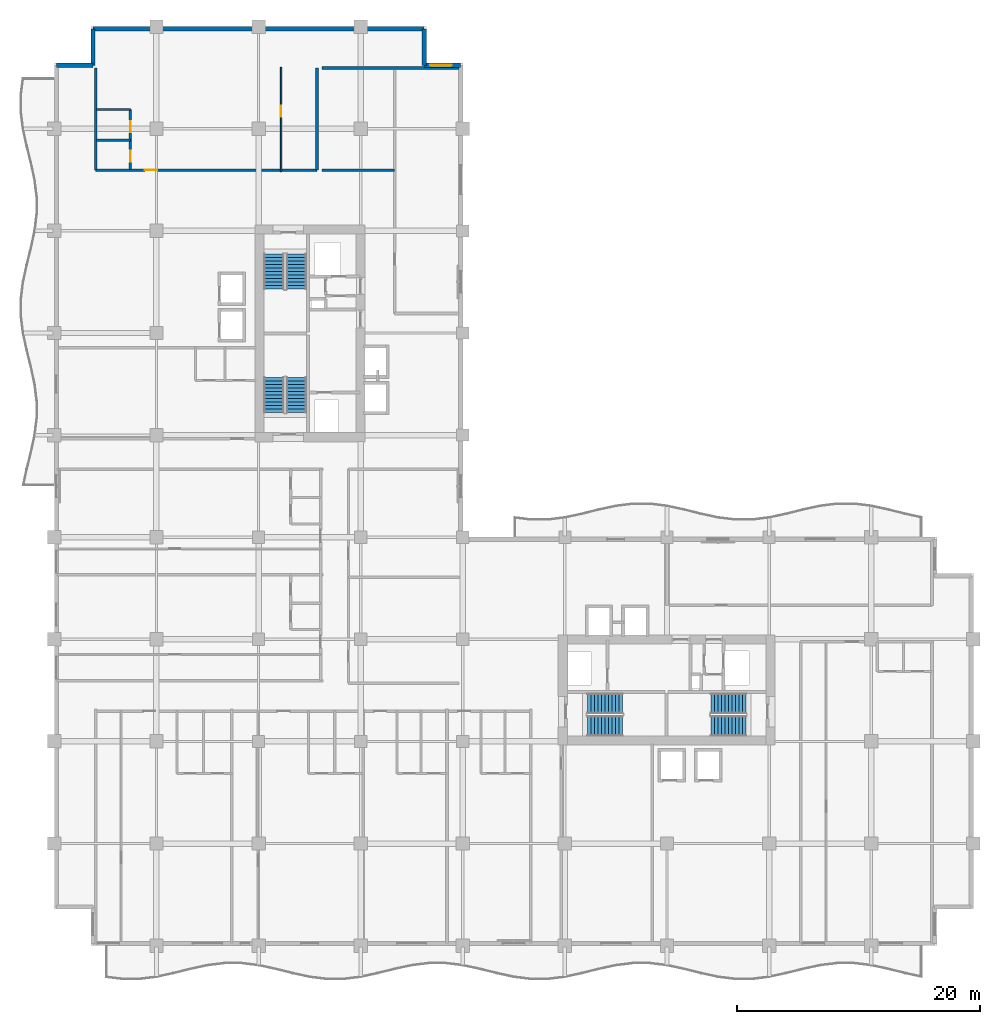
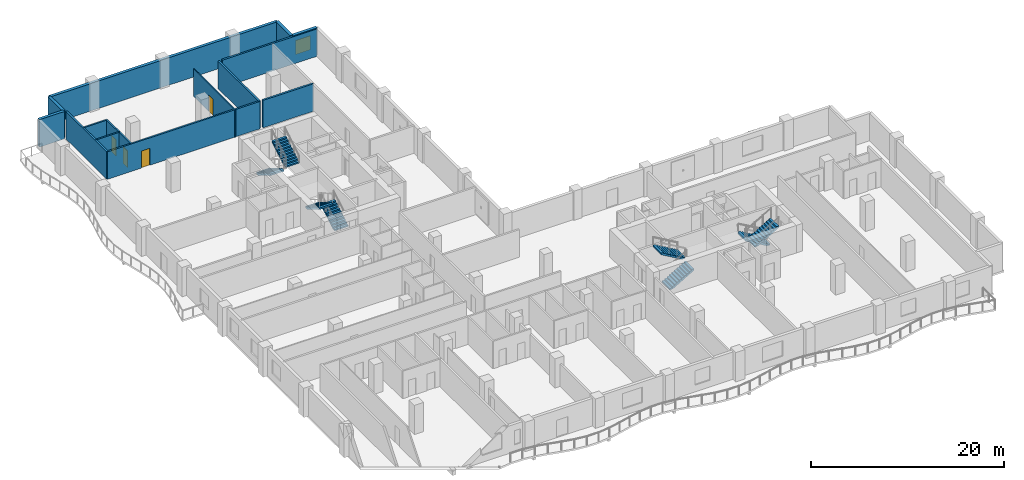
# One storey, part 10 of 16: 14 walls, 8 stair flights, 4 doors, 1 window, 5 openings, 4 elements without a shape of their own.
"""IFC4 building model written with IfcOpenShell, lengths in metres."""

from ifc_helpers import new_model, si_unit, direction, frame, frame_2d, origin, place, context, subcontext, project, spatial, polyline, rectangle, outline, extrude, material, layer, layer_set, type_object, element, fill, aggregate, save


model = new_model("IFC4")

# Units and contexts
model_context = context("Model", 3, precision=1e-05, world=origin(), true_north=direction((0.0, 1.0)))
body_context = subcontext(model_context, "Body", "Model", "MODEL_VIEW")
ifc_project = project(units=[si_unit("LENGTHUNIT", "METRE"), si_unit("AREAUNIT", "SQUARE_METRE"), si_unit("VOLUMEUNIT", "CUBIC_METRE"), si_unit("PLANEANGLEUNIT", "RADIAN"), si_unit("MASSUNIT", "GRAM", prefix="KILO")], contexts=[model_context])

# Site, building, storey
site_placement = place(None, origin())
site = spatial("IfcSite", under=ifc_project, at=site_placement, CompositionType="ELEMENT")
building_placement = place(site_placement, origin())
building = spatial("IfcBuilding", under=site, at=building_placement, Name="Koriwani Terraces Tower", CompositionType="ELEMENT")
storey_placement = place(building_placement, frame((0.0, 0.0, 179.10009765625)))
storey = spatial("IfcBuildingStorey", under=building, at=storey_placement, Name="L43", CompositionType="ELEMENT", Elevation=179.10009765625)

# Wall, opening, door
ifc_material_1 = material(Name="Autoclaved Cellular Concrete Blockwork", Category="masonry")
ifc_layer_1 = layer(ifc_material_1, 0.199951171875, Name="Autoclaved Cellular Concrete Blockwork")
ifc_layer_set_1 = layer_set([ifc_layer_1], Name="Autoclaved Cellular Concrete Blockwork")
wall_type_1 = type_object("IfcWallType", Name="WALL_CORRIDOR_200", PredefinedType="PARTITIONING", material=ifc_layer_set_1)
wall_1_placement = place(storey_placement, frame((3.39990234375, 63.800048828125, 0.0), z_axis=(0.0, 0.0, 1.0), x_axis=(1.0, 0.0, 0.0)))
wall_1 = element("IfcWall", 1, at=wall_1_placement, inside=storey, type_object=wall_type_1, Name="L43 Interior Wall WGB-L43-NWTIP-S", PredefinedType="PARTITIONING", context=body_context, shape_type="SweptSolid", body=[
    extrude(rectangle(XDim=18.2001953125, YDim=0.199951171875, at=frame_2d((9.10009765625, 0.0))), origin(), (0.0, 0.0, 1.0), 3.469970703125),
])
opening_1_placement = place(wall_1_placement, frame((4.050048828125, 0.0, 0.0)))
opening_1 = element("IfcOpeningElement", 2, at=opening_1_placement, cuts=wall_1, Name="Opening D-05", PredefinedType="OPENING", context=body_context, shape_type="SweptSolid", body=[
    extrude(rectangle(XDim=1.0, YDim=2.14990234375, at=frame_2d((0.5, 1.074951171875))), frame((0.0, 0.10986328125, 0.0), z_axis=(0.0, -1.0, 0.0), x_axis=(1.0, 0.0, 0.0)), (0.0, 0.0, 1.0), 0.219970703125),
])
ifc_material_2 = material(Name="Architectural Oak Fire Door", Category="wood")
door_type_1 = type_object("IfcDoorType", Name="DOOR_SUITE_ENTRY_1000X2150", OperationType="NOTDEFINED", PredefinedType="DOOR", material=ifc_material_2)
door_1_placement = place(opening_1_placement, origin())
door_1 = element("IfcDoor", 3, at=door_1_placement, inside=storey, type_object=door_type_1, Name="Grand Apartment 43NT Entrance Door", OperationType="SINGLE_SWING_LEFT", OverallHeight=2.14990234375, OverallWidth=1.0, PredefinedType="DOOR", context=body_context, shape_type="SweptSolid", body=[
    extrude(rectangle(XDim=1.0, YDim=2.14990234375, at=frame_2d((0.5, 1.074951171875))), frame((0.0, 0.02490234375, 0.0), z_axis=(0.0, -1.0, 0.0), x_axis=(1.0, 0.0, 0.0)), (0.0, 0.0, 1.0), 0.050048828125),
])
fill(opening_1, door_1)

# Walls
ifc_layer_2 = layer(ifc_material_1, 0.219970703125, Name="Autoclaved Cellular Concrete Blockwork")
ifc_layer_set_2 = layer_set([ifc_layer_2], Name="Autoclaved Cellular Concrete Blockwork")
wall_type_2 = type_object("IfcWallType", Name="WALL_DEMISING_220", PredefinedType="PARTITIONING", material=ifc_layer_set_2)
for number, where, z_axis, x_axis, name in (
    (4, (21.60009765625, 63.800048828125, 0.0), (0.0, 0.0, 1.0), (0.0, 1.0, 0.0), "L43 Interior Wall WGB-L43-NWTIP-E"),
    (5, (3.39990234375, 63.800048828125, 0.0), (0.0, 0.0, 1.0), (0.0, 1.0, 0.0), "L43 Interior Wall WGB-L43-NWTIP-W"),
):
    element("IfcWall", number, at=place(storey_placement, frame(where, z_axis=z_axis, x_axis=x_axis)), inside=storey, type_object=wall_type_2, Name=name, PredefinedType="PARTITIONING", context=body_context, shape_type="SweptSolid", body=[
        extrude(rectangle(XDim=8.39990234375, YDim=0.219970703125, at=frame_2d((4.199951171875, 0.0))), origin(), (0.0, 0.0, 1.0), 3.469970703125),
    ])
wall_2_placement = place(storey_placement, frame((22.0, 72.199951171875, 0.0), z_axis=(0.0, 0.0, 1.0), x_axis=(1.0, 0.0, 0.0)))
element("IfcWall", 6, at=wall_2_placement, inside=storey, type_object=wall_type_2, Name="L43 Interior Wall WNWT2-N-L43", PredefinedType="PARTITIONING", context=body_context, shape_type="SweptSolid", body=[
    extrude(rectangle(XDim=11.300048828125, YDim=0.219970703125, at=frame_2d((5.64990234375, 0.0))), origin(), (0.0, 0.0, 1.0), 3.469970703125),
])
wall_3_placement = place(storey_placement, frame((22.0, 63.800048828125, 0.0), z_axis=(0.0, 0.0, 1.0), x_axis=(1.0, 0.0, 0.0)))
element("IfcWall", 7, at=wall_3_placement, inside=storey, type_object=wall_type_2, Name="L43 Interior Wall WNWT2-WS-L43", PredefinedType="PARTITIONING", context=body_context, shape_type="SweptSolid", body=[
    extrude(rectangle(XDim=6.0, YDim=0.219970703125, at=frame_2d((3.0, 0.0))), origin(), (0.0, 0.0, 1.0), 3.469970703125),
])
ifc_material_3 = material(Name="Concrete C50/60", Category="concrete")
ifc_layer_3 = layer(ifc_material_3, 0.35009765625, Name="Concrete C50/60")
ifc_layer_set_3 = layer_set([ifc_layer_3], Name="Concrete C50/60")
wall_type_3 = type_object("IfcWallType", Name="WALL_EXT_BRUTALIST_350", PredefinedType="STANDARD", material=ifc_layer_set_3)
for number, where, z_axis, x_axis, name in (
    (8, (0.175048828125, 72.425048828125, 0.0), (0.0, 0.0, 1.0), (1.0, 0.0, 0.0), "L43 Fair-Faced Brutalist Exterior Wall (N3)"),
    (9, (3.175048828125, 72.425048828125, 0.0), (0.0, 0.0, 1.0), (0.0, 1.0, 0.0), "L43 Fair-Faced Brutalist Exterior Wall (N4)"),
):
    element("IfcWall", number, at=place(storey_placement, frame(where, z_axis=z_axis, x_axis=x_axis)), inside=storey, type_object=wall_type_3, Name=name, PredefinedType="STANDARD", context=body_context, shape_type="SweptSolid", body=[
        extrude(rectangle(XDim=3.0, YDim=0.35009765625, at=frame_2d((1.5, 0.0))), origin(), (0.0, 0.0, 1.0), 3.469970703125),
    ])
wall_4_placement = place(storey_placement, frame((3.175048828125, 75.425048828125, 0.0), z_axis=(0.0, 0.0, 1.0), x_axis=(1.0, 0.0, 0.0)))
element("IfcWall", 10, at=wall_4_placement, inside=storey, type_object=wall_type_3, Name="L43 Fair-Faced Brutalist Exterior Wall (N_TIP)", PredefinedType="STANDARD", context=body_context, shape_type="SweptSolid", body=[
    extrude(rectangle(XDim=27.25, YDim=0.35009765625, at=frame_2d((13.625, 0.0))), origin(), (0.0, 0.0, 1.0), 3.469970703125),
])
wall_5_placement = place(storey_placement, frame((30.425048828125, 75.425048828125, 0.0), z_axis=(0.0, 0.0, 1.0), x_axis=(0.0, -1.0, 0.0)))
element("IfcWall", 11, at=wall_5_placement, inside=storey, type_object=wall_type_3, Name="L43 Fair-Faced Brutalist Exterior Wall (N6)", PredefinedType="STANDARD", context=body_context, shape_type="SweptSolid", body=[
    extrude(rectangle(XDim=3.0, YDim=0.35009765625, at=frame_2d((1.5, 0.0))), origin(), (0.0, 0.0, 1.0), 3.469970703125),
])

# Wall, opening, window
wall_6_placement = place(storey_placement, frame((30.425048828125, 72.425048828125, 0.0), z_axis=(0.0, 0.0, 1.0), x_axis=(1.0, 0.0, 0.0)))
wall_6 = element("IfcWall", 12, at=wall_6_placement, inside=storey, type_object=wall_type_3, Name="L43 Fair-Faced Brutalist Exterior Wall (N7)", PredefinedType="STANDARD", context=body_context, shape_type="SweptSolid", body=[
    extrude(rectangle(XDim=3.0, YDim=0.35009765625, at=frame_2d((1.5, 0.0))), origin(), (0.0, 0.0, 1.0), 3.469970703125),
])
opening_2_placement = place(wall_6_placement, frame((0.487548828125, 0.0, 0.85009765625)))
opening_2 = element("IfcOpeningElement", 13, at=opening_2_placement, cuts=wall_6, Name="Opening W-04", PredefinedType="OPENING", context=body_context, shape_type="SweptSolid", body=[
    extrude(rectangle(XDim=1.800048828125, YDim=1.800048828125, at=frame_2d((0.89990234375, 0.89990234375))), frame((0.0, 0.18505859375, 0.0), z_axis=(0.0, -1.0, 0.0), x_axis=(1.0, 0.0, 0.0)), (0.0, 0.0, 1.0), 0.3701171875),
])
ifc_material_4 = material(Name="Tempered Laminated Low-E Glass", Category="glass")
window_type = type_object("IfcWindowType", Name="WIN_RES_BED_1800X1800", PartitioningType="DOUBLE_PANEL_VERTICAL", PredefinedType="WINDOW", material=ifc_material_4)
window_placement = place(opening_2_placement, origin())
window = element("IfcWindow", 14, at=window_placement, inside=storey, type_object=window_type, Name="L43 Exterior Window (N7-R59)", OverallHeight=1.800048828125, OverallWidth=1.800048828125, PartitioningType="SINGLE_PANEL", PredefinedType="WINDOW", context=body_context, shape_type="SweptSolid", body=[
    extrude(rectangle(XDim=1.800048828125, YDim=1.800048828125, at=frame_2d((0.89990234375, 0.89990234375))), frame((0.0, 0.030029296875, 0.0), z_axis=(0.0, -1.0, 0.0), x_axis=(1.0, 0.0, 0.0)), (0.0, 0.0, 1.0), 0.06005859375),
])
fill(opening_2, window)

# Wall, opening, door
ifc_material_5 = material(Name="Fire-Rated Acoustic Gypsum Partition", Category="masonry")
ifc_layer_4 = layer(ifc_material_5, 0.125, Name="Fire-Rated Acoustic Gypsum Partition")
ifc_layer_set_4 = layer_set([ifc_layer_4], Name="Fire-Rated Acoustic Gypsum Partition")
wall_type_4 = type_object("IfcWallType", Name="WALL_INT_125", PredefinedType="PARTITIONING", material=ifc_layer_set_4)
wall_7_placement = place(storey_placement, frame((18.64990234375, 63.64990234375, 0.0), z_axis=(0.0, 0.0, 1.0), x_axis=(0.0, 1.0, 0.0)))
wall_7 = element("IfcWall", 15, at=wall_7_placement, inside=storey, type_object=wall_type_4, Name="L43 Interior Wall WGB-L43-NWTIP-BD", PredefinedType="PARTITIONING", context=body_context, shape_type="SweptSolid", body=[
    extrude(rectangle(XDim=8.60009765625, YDim=0.125, at=frame_2d((4.300048828125, 0.0))), origin(), (0.0, 0.0, 1.0), 3.469970703125),
])
opening_3_placement = place(wall_7_placement, frame((4.530029296875, 0.0, 0.0)))
opening_3 = element("IfcOpeningElement", 16, at=opening_3_placement, cuts=wall_7, Name="Opening D-06", PredefinedType="OPENING", context=body_context, shape_type="SweptSolid", body=[
    extrude(rectangle(XDim=0.919921875, YDim=2.10009765625, at=frame_2d((0.4599609375, 1.050048828125))), frame((0.0, 0.072509765625, 0.0), z_axis=(0.0, -1.0, 0.0), x_axis=(1.0, 0.0, 0.0)), (0.0, 0.0, 1.0), 0.14501953125),
])
door_type_2 = type_object("IfcDoorType", Name="DOOR_ROOM_INT_920X2100", OperationType="NOTDEFINED", PredefinedType="DOOR", material=ifc_material_2)
door_2_placement = place(opening_3_placement, origin())
door_2 = element("IfcDoor", 17, at=door_2_placement, inside=storey, type_object=door_type_2, Name="Grand Apartment 43NT Master Suite Door", OperationType="SINGLE_SWING_RIGHT", OverallHeight=2.10009765625, OverallWidth=0.919921875, PredefinedType="DOOR", context=body_context, shape_type="SweptSolid", body=[
    extrude(rectangle(XDim=0.919921875, YDim=2.10009765625, at=frame_2d((0.4599609375, 1.050048828125))), frame((0.0, 0.02490234375, 0.0), z_axis=(0.0, -1.0, 0.0), x_axis=(1.0, 0.0, 0.0)), (0.0, 0.0, 1.0), 0.050048828125),
])
fill(opening_3, door_2)

# Wall, openings, doors
ifc_layer_5 = layer(ifc_material_5, 0.179931640625, Name="Fire-Rated Acoustic Gypsum Partition")
ifc_layer_set_5 = layer_set([ifc_layer_5], Name="Fire-Rated Acoustic Gypsum Partition")
wall_type_5 = type_object("IfcWallType", Name="WALL_PLUMBING_180", PredefinedType="PLUMBINGWALL", material=ifc_layer_set_5)
wall_8_placement = place(storey_placement, frame((6.25, 63.85009765625, 0.0), z_axis=(0.0, 0.0, 1.0), x_axis=(0.0, 1.0, 0.0)))
wall_8 = element("IfcWall", 18, at=wall_8_placement, inside=storey, type_object=wall_type_5, Name="L43 Interior Wall WGB-L43-NWTIP-SVB", PredefinedType="PLUMBINGWALL", context=body_context, shape_type="SweptSolid", body=[
    extrude(rectangle(XDim=4.949951171875, YDim=0.179931640625, at=frame_2d((2.47509765625, 0.0))), origin(), (0.0, 0.0, 1.0), 3.469970703125),
])
opening_4_placement = place(wall_8_placement, frame((0.64990234375, 0.0, 0.0)))
opening_4 = element("IfcOpeningElement", 19, at=opening_4_placement, cuts=wall_8, Name="Opening D-07", PredefinedType="OPENING", context=body_context, shape_type="SweptSolid", body=[
    extrude(rectangle(XDim=0.89990234375, YDim=2.10009765625, at=frame_2d((0.449951171875, 1.050048828125))), frame((0.0, 0.10009765625, 0.0), z_axis=(0.0, -1.0, 0.0), x_axis=(1.0, 0.0, 0.0)), (0.0, 0.0, 1.0), 0.199951171875),
])
opening_5_placement = place(wall_8_placement, frame((3.050048828125, 0.0, 0.0)))
opening_5 = element("IfcOpeningElement", 20, at=opening_5_placement, cuts=wall_8, Name="Opening D-06", PredefinedType="OPENING", context=body_context, shape_type="SweptSolid", body=[
    extrude(rectangle(XDim=0.919921875, YDim=2.10009765625, at=frame_2d((0.4599609375, 1.050048828125))), frame((0.0, 0.10009765625, 0.0), z_axis=(0.0, -1.0, 0.0), x_axis=(1.0, 0.0, 0.0)), (0.0, 0.0, 1.0), 0.199951171875),
])
door_type_3 = type_object("IfcDoorType", Name="DOOR_BATH_INT_900X2100", OperationType="NOTDEFINED", PredefinedType="DOOR", material=ifc_material_2)
door_3_placement = place(opening_4_placement, origin())
door_3 = element("IfcDoor", 21, at=door_3_placement, inside=storey, type_object=door_type_3, Name="Grand Apartment 43NT Bathroom Door", OperationType="SINGLE_SWING_RIGHT", OverallHeight=2.10009765625, OverallWidth=0.89990234375, PredefinedType="DOOR", context=body_context, shape_type="SweptSolid", body=[
    extrude(rectangle(XDim=0.89990234375, YDim=2.10009765625, at=frame_2d((0.449951171875, 1.050048828125))), frame((0.0, 0.02490234375, 0.0), z_axis=(0.0, -1.0, 0.0), x_axis=(1.0, 0.0, 0.0)), (0.0, 0.0, 1.0), 0.050048828125),
])
fill(opening_4, door_3)
door_4_placement = place(opening_5_placement, origin())
door_4 = element("IfcDoor", 22, at=door_4_placement, inside=storey, type_object=door_type_2, Name="Grand Apartment 43NT Kitchen Door", OperationType="SINGLE_SWING_LEFT", OverallHeight=2.10009765625, OverallWidth=0.919921875, PredefinedType="DOOR", context=body_context, shape_type="SweptSolid", body=[
    extrude(rectangle(XDim=0.919921875, YDim=2.10009765625, at=frame_2d((0.4599609375, 1.050048828125))), frame((0.0, 0.02490234375, 0.0), z_axis=(0.0, -1.0, 0.0), x_axis=(1.0, 0.0, 0.0)), (0.0, 0.0, 1.0), 0.050048828125),
])
fill(opening_5, door_4)

# Walls
for number, where, z_axis, x_axis, name in (
    (23, (3.449951171875, 66.25, 0.0), (0.0, 0.0, 1.0), (1.0, 0.0, 0.0), "L43 Interior Wall WGB-L43-NWTIP-SVM"),
    (24, (3.449951171875, 68.800048828125, 0.0), (0.0, 0.0, 1.0), (1.0, 0.0, 0.0), "L43 Interior Wall WGB-L43-NWTIP-SV2"),
):
    element("IfcWall", number, at=place(storey_placement, frame(where, z_axis=z_axis, x_axis=x_axis)), inside=storey, type_object=wall_type_5, Name=name, PredefinedType="PLUMBINGWALL", context=body_context, shape_type="SweptSolid", body=[
        extrude(rectangle(XDim=2.800048828125, YDim=0.179931640625, at=frame_2d((1.39990234375, 0.0))), origin(), (0.0, 0.0, 1.0), 3.469970703125),
    ])

# Stair, stair flights
ifc_material_6 = material(Name="Concrete C40/50", Category="concrete")
stair_type = type_object("IfcStairType", Name="STAIR_CORE_DOGLEG_1650", PredefinedType="TWO_STRAIGHT_RUN_STAIR", material=ifc_material_6)
stair_1_placement = place(storey_placement, origin())
stair_1 = element("IfcStair", 25, at=stair_1_placement, inside=storey, type_object=stair_type, Name="L43 West Core Exit Stair 1", PredefinedType="HALF_TURN_STAIR")
stair_flight_type = type_object("IfcStairFlightType", Name="STAIR_FLIGHT_RC_1650", PredefinedType="STRAIGHT", material=ifc_material_6)
stair_flight_1_placement = place(storey_placement, frame((19.925048828125, 43.85009765625, 0.0), z_axis=(0.0, 0.0, 1.0), x_axis=(0.0, 1.0, 0.0)))
stair_flight_1 = element("IfcStairFlight", 26, at=stair_flight_1_placement, type_object=stair_flight_type, Name="ST-W1 flight 1", NumberOfRisers=11, NumberOfTreads=10, PredefinedType="STRAIGHT", RiserHeight=0.168181818, TreadLength=0.29, context=body_context, shape_type="SweptSolid", body=[
    extrude(outline(polyline([(0.0, 0.0), (0.0, 0.168212890625), (0.2900390625, 0.168212890625), (0.2900390625, 0.33642578125), (0.580078125, 0.33642578125), (0.580078125, 0.504638671875), (0.8701171875, 0.504638671875), (0.8701171875, 0.672607421875), (1.159912109375, 0.672607421875), (1.159912109375, 0.8408203125), (1.449951171875, 0.8408203125), (1.449951171875, 1.009033203125), (1.739990234375, 1.009033203125), (1.739990234375, 1.17724609375), (2.030029296875, 1.17724609375), (2.030029296875, 1.345458984375), (2.320068359375, 1.345458984375), (2.320068359375, 1.513671875), (2.610107421875, 1.513671875), (2.610107421875, 1.681884765625), (2.89990234375, 1.681884765625), (2.89990234375, 1.85009765625), (2.89990234375, 1.473876953125), (0.358642578125, 0.0), (0.0, 0.0)])), frame((0.0, 0.824951171875, 0.0), z_axis=(0.0, -1.0, 0.0), x_axis=(1.0, 0.0, 0.0)), (0.0, 0.0, 1.0), 1.64990234375),
])
stair_flight_2_placement = place(storey_placement, frame((18.074951171875, 46.75, 1.849853515625), z_axis=(0.0, 0.0, 1.0), x_axis=(0.0, -1.0, 0.0)))
stair_flight_2 = element("IfcStairFlight", 27, at=stair_flight_2_placement, type_object=stair_flight_type, Name="ST-W1 flight 2", NumberOfRisers=11, NumberOfTreads=10, PredefinedType="STRAIGHT", RiserHeight=0.168181818, TreadLength=0.29, context=body_context, shape_type="SweptSolid", body=[
    extrude(outline(polyline([(0.0, 0.0), (0.0, 0.168212890625), (0.2900390625, 0.168212890625), (0.2900390625, 0.33642578125), (0.580078125, 0.33642578125), (0.580078125, 0.504638671875), (0.8701171875, 0.504638671875), (0.8701171875, 0.672607421875), (1.159912109375, 0.672607421875), (1.159912109375, 0.8408203125), (1.449951171875, 0.8408203125), (1.449951171875, 1.009033203125), (1.739990234375, 1.009033203125), (1.739990234375, 1.17724609375), (2.030029296875, 1.17724609375), (2.030029296875, 1.345458984375), (2.320068359375, 1.345458984375), (2.320068359375, 1.513671875), (2.610107421875, 1.513671875), (2.610107421875, 1.681884765625), (2.89990234375, 1.681884765625), (2.89990234375, 1.85009765625), (2.89990234375, 1.473876953125), (0.358642578125, 0.0), (0.0, 0.0)])), frame((0.0, 0.824951171875, 0.0), z_axis=(0.0, -1.0, 0.0), x_axis=(1.0, 0.0, 0.0)), (0.0, 0.0, 1.0), 1.64990234375),
])
aggregate(stair_1, [stair_flight_1, stair_flight_2])

stair_2_placement = place(storey_placement, origin())
stair_2 = element("IfcStair", 28, at=stair_2_placement, inside=storey, type_object=stair_type, Name="L43 West Core Exit Stair 2", PredefinedType="HALF_TURN_STAIR")
stair_flight_3_placement = place(storey_placement, frame((18.074951171875, 56.89990234375, 0.0), z_axis=(0.0, 0.0, 1.0), x_axis=(0.0, -1.0, 0.0)))
stair_flight_3 = element("IfcStairFlight", 29, at=stair_flight_3_placement, type_object=stair_flight_type, Name="ST-W2 flight 1", NumberOfRisers=11, NumberOfTreads=10, PredefinedType="STRAIGHT", RiserHeight=0.168181818, TreadLength=0.29, context=body_context, shape_type="SweptSolid", body=[
    extrude(outline(polyline([(0.0, 0.0), (0.0, 0.168212890625), (0.2900390625, 0.168212890625), (0.2900390625, 0.33642578125), (0.580078125, 0.33642578125), (0.580078125, 0.504638671875), (0.8701171875, 0.504638671875), (0.8701171875, 0.672607421875), (1.159912109375, 0.672607421875), (1.159912109375, 0.8408203125), (1.449951171875, 0.8408203125), (1.449951171875, 1.009033203125), (1.739990234375, 1.009033203125), (1.739990234375, 1.17724609375), (2.030029296875, 1.17724609375), (2.030029296875, 1.345458984375), (2.320068359375, 1.345458984375), (2.320068359375, 1.513671875), (2.610107421875, 1.513671875), (2.610107421875, 1.681884765625), (2.89990234375, 1.681884765625), (2.89990234375, 1.85009765625), (2.89990234375, 1.473876953125), (0.358642578125, 0.0), (0.0, 0.0)])), frame((0.0, 0.824951171875, 0.0), z_axis=(0.0, -1.0, 0.0), x_axis=(1.0, 0.0, 0.0)), (0.0, 0.0, 1.0), 1.64990234375),
])
stair_flight_4_placement = place(storey_placement, frame((19.925048828125, 54.0, 1.849853515625), z_axis=(0.0, 0.0, 1.0), x_axis=(0.0, 1.0, 0.0)))
stair_flight_4 = element("IfcStairFlight", 30, at=stair_flight_4_placement, type_object=stair_flight_type, Name="ST-W2 flight 2", NumberOfRisers=11, NumberOfTreads=10, PredefinedType="STRAIGHT", RiserHeight=0.168181818, TreadLength=0.29, context=body_context, shape_type="SweptSolid", body=[
    extrude(outline(polyline([(0.0, 0.0), (0.0, 0.168212890625), (0.2900390625, 0.168212890625), (0.2900390625, 0.33642578125), (0.580078125, 0.33642578125), (0.580078125, 0.504638671875), (0.8701171875, 0.504638671875), (0.8701171875, 0.672607421875), (1.159912109375, 0.672607421875), (1.159912109375, 0.8408203125), (1.449951171875, 0.8408203125), (1.449951171875, 1.009033203125), (1.739990234375, 1.009033203125), (1.739990234375, 1.17724609375), (2.030029296875, 1.17724609375), (2.030029296875, 1.345458984375), (2.320068359375, 1.345458984375), (2.320068359375, 1.513671875), (2.610107421875, 1.513671875), (2.610107421875, 1.681884765625), (2.89990234375, 1.681884765625), (2.89990234375, 1.85009765625), (2.89990234375, 1.473876953125), (0.358642578125, 0.0), (0.0, 0.0)])), frame((0.0, 0.824951171875, 0.0), z_axis=(0.0, -1.0, 0.0), x_axis=(1.0, 0.0, 0.0)), (0.0, 0.0, 1.0), 1.64990234375),
])
aggregate(stair_2, [stair_flight_3, stair_flight_4])

stair_3_placement = place(storey_placement, origin())
stair_3 = element("IfcStair", 31, at=stair_3_placement, inside=storey, type_object=stair_type, Name="L43 East Core Exit Stair 1", PredefinedType="HALF_TURN_STAIR")
stair_flight_5_placement = place(storey_placement, frame((43.85009765625, 18.074951171875, 0.0), z_axis=(0.0, 0.0, 1.0), x_axis=(1.0, 0.0, 0.0)))
stair_flight_5 = element("IfcStairFlight", 32, at=stair_flight_5_placement, type_object=stair_flight_type, Name="ST-E1 flight 1", NumberOfRisers=11, NumberOfTreads=10, PredefinedType="STRAIGHT", RiserHeight=0.168181818, TreadLength=0.29, context=body_context, shape_type="SweptSolid", body=[
    extrude(outline(polyline([(0.0, 0.0), (0.0, 0.168212890625), (0.2900390625, 0.168212890625), (0.2900390625, 0.33642578125), (0.580078125, 0.33642578125), (0.580078125, 0.504638671875), (0.8701171875, 0.504638671875), (0.8701171875, 0.672607421875), (1.159912109375, 0.672607421875), (1.159912109375, 0.8408203125), (1.449951171875, 0.8408203125), (1.449951171875, 1.009033203125), (1.739990234375, 1.009033203125), (1.739990234375, 1.17724609375), (2.030029296875, 1.17724609375), (2.030029296875, 1.345458984375), (2.320068359375, 1.345458984375), (2.320068359375, 1.513671875), (2.610107421875, 1.513671875), (2.610107421875, 1.681884765625), (2.89990234375, 1.681884765625), (2.89990234375, 1.85009765625), (2.89990234375, 1.473876953125), (0.358642578125, 0.0), (0.0, 0.0)])), frame((0.0, 0.824951171875, 0.0), z_axis=(0.0, -1.0, 0.0), x_axis=(1.0, 0.0, 0.0)), (0.0, 0.0, 1.0), 1.64990234375),
])
stair_flight_6_placement = place(storey_placement, frame((46.75, 19.925048828125, 1.849853515625), z_axis=(0.0, 0.0, 1.0), x_axis=(-1.0, 0.0, 0.0)))
stair_flight_6 = element("IfcStairFlight", 33, at=stair_flight_6_placement, type_object=stair_flight_type, Name="ST-E1 flight 2", NumberOfRisers=11, NumberOfTreads=10, PredefinedType="STRAIGHT", RiserHeight=0.168181818, TreadLength=0.29, context=body_context, shape_type="SweptSolid", body=[
    extrude(outline(polyline([(0.0, 0.0), (0.0, 0.168212890625), (0.2900390625, 0.168212890625), (0.2900390625, 0.33642578125), (0.580078125, 0.33642578125), (0.580078125, 0.504638671875), (0.8701171875, 0.504638671875), (0.8701171875, 0.672607421875), (1.159912109375, 0.672607421875), (1.159912109375, 0.8408203125), (1.449951171875, 0.8408203125), (1.449951171875, 1.009033203125), (1.739990234375, 1.009033203125), (1.739990234375, 1.17724609375), (2.030029296875, 1.17724609375), (2.030029296875, 1.345458984375), (2.320068359375, 1.345458984375), (2.320068359375, 1.513671875), (2.610107421875, 1.513671875), (2.610107421875, 1.681884765625), (2.89990234375, 1.681884765625), (2.89990234375, 1.85009765625), (2.89990234375, 1.473876953125), (0.358642578125, 0.0), (0.0, 0.0)])), frame((0.0, 0.824951171875, 0.0), z_axis=(0.0, -1.0, 0.0), x_axis=(1.0, 0.0, 0.0)), (0.0, 0.0, 1.0), 1.64990234375),
])
aggregate(stair_3, [stair_flight_5, stair_flight_6])

stair_4_placement = place(storey_placement, origin())
stair_4 = element("IfcStair", 34, at=stair_4_placement, inside=storey, type_object=stair_type, Name="L43 East Core Exit Stair 2", PredefinedType="HALF_TURN_STAIR")
stair_flight_7_placement = place(storey_placement, frame((56.89990234375, 19.925048828125, 0.0), z_axis=(0.0, 0.0, 1.0), x_axis=(-1.0, 0.0, 0.0)))
stair_flight_7 = element("IfcStairFlight", 35, at=stair_flight_7_placement, type_object=stair_flight_type, Name="ST-E2 flight 1", NumberOfRisers=11, NumberOfTreads=10, PredefinedType="STRAIGHT", RiserHeight=0.168181818, TreadLength=0.29, context=body_context, shape_type="SweptSolid", body=[
    extrude(outline(polyline([(0.0, 0.0), (0.0, 0.168212890625), (0.2900390625, 0.168212890625), (0.2900390625, 0.33642578125), (0.580078125, 0.33642578125), (0.580078125, 0.504638671875), (0.8701171875, 0.504638671875), (0.8701171875, 0.672607421875), (1.159912109375, 0.672607421875), (1.159912109375, 0.8408203125), (1.449951171875, 0.8408203125), (1.449951171875, 1.009033203125), (1.739990234375, 1.009033203125), (1.739990234375, 1.17724609375), (2.030029296875, 1.17724609375), (2.030029296875, 1.345458984375), (2.320068359375, 1.345458984375), (2.320068359375, 1.513671875), (2.610107421875, 1.513671875), (2.610107421875, 1.681884765625), (2.89990234375, 1.681884765625), (2.89990234375, 1.85009765625), (2.89990234375, 1.473876953125), (0.358642578125, 0.0), (0.0, 0.0)])), frame((0.0, 0.824951171875, 0.0), z_axis=(0.0, -1.0, 0.0), x_axis=(1.0, 0.0, 0.0)), (0.0, 0.0, 1.0), 1.64990234375),
])
stair_flight_8_placement = place(storey_placement, frame((54.0, 18.074951171875, 1.849853515625), z_axis=(0.0, 0.0, 1.0), x_axis=(1.0, 0.0, 0.0)))
stair_flight_8 = element("IfcStairFlight", 36, at=stair_flight_8_placement, type_object=stair_flight_type, Name="ST-E2 flight 2", NumberOfRisers=11, NumberOfTreads=10, PredefinedType="STRAIGHT", RiserHeight=0.168181818, TreadLength=0.29, context=body_context, shape_type="SweptSolid", body=[
    extrude(outline(polyline([(0.0, 0.0), (0.0, 0.168212890625), (0.2900390625, 0.168212890625), (0.2900390625, 0.33642578125), (0.580078125, 0.33642578125), (0.580078125, 0.504638671875), (0.8701171875, 0.504638671875), (0.8701171875, 0.672607421875), (1.159912109375, 0.672607421875), (1.159912109375, 0.8408203125), (1.449951171875, 0.8408203125), (1.449951171875, 1.009033203125), (1.739990234375, 1.009033203125), (1.739990234375, 1.17724609375), (2.030029296875, 1.17724609375), (2.030029296875, 1.345458984375), (2.320068359375, 1.345458984375), (2.320068359375, 1.513671875), (2.610107421875, 1.513671875), (2.610107421875, 1.681884765625), (2.89990234375, 1.681884765625), (2.89990234375, 1.85009765625), (2.89990234375, 1.473876953125), (0.358642578125, 0.0), (0.0, 0.0)])), frame((0.0, 0.824951171875, 0.0), z_axis=(0.0, -1.0, 0.0), x_axis=(1.0, 0.0, 0.0)), (0.0, 0.0, 1.0), 1.64990234375),
])
aggregate(stair_4, [stair_flight_7, stair_flight_8])

save(model, "model.ifc")
